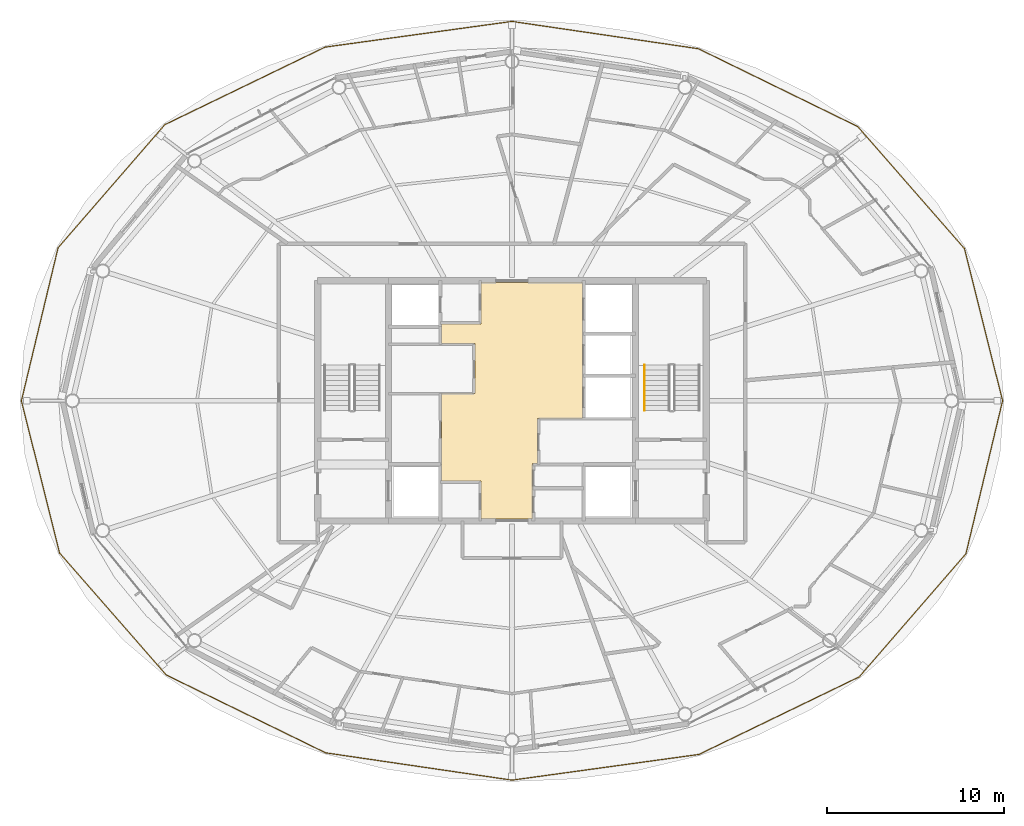
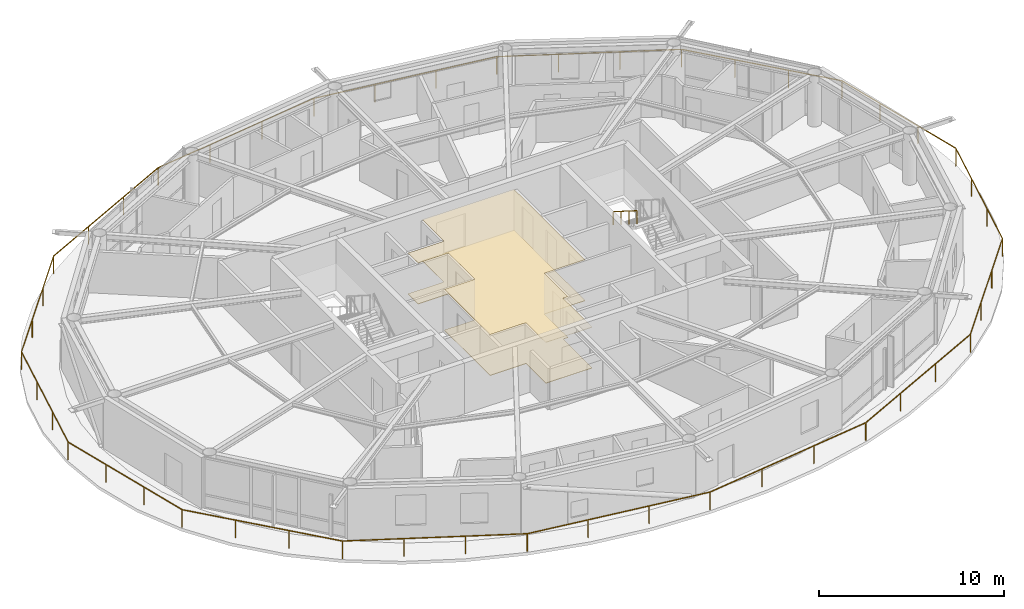
# One storey, part 22 of 23: 2 coverings, 2 railings.
"""IFC4 building model written with IfcOpenShell, lengths in metres."""

from ifc_helpers import new_model, si_unit, direction, frame, origin, origin_2d, place, context, subcontext, project, spatial, polyline, rectangle, outline, extrude, material, layer, layer_set, type_object, element, save


model = new_model("IFC4")

# Units and contexts
model_context = context("Model", 3, precision=1e-05, world=origin(), true_north=direction((0.0, 1.0)))
body_context = subcontext(model_context, "Body", "Model", "MODEL_VIEW")
ifc_project = project(units=[si_unit("LENGTHUNIT", "METRE"), si_unit("AREAUNIT", "SQUARE_METRE"), si_unit("VOLUMEUNIT", "CUBIC_METRE"), si_unit("PLANEANGLEUNIT", "RADIAN"), si_unit("MASSUNIT", "GRAM", prefix="KILO")], contexts=[model_context])

# Site, building, storey
site_placement = place(None, origin())
site = spatial("IfcSite", under=ifc_project, at=site_placement, CompositionType="ELEMENT")
building_placement = place(site_placement, origin())
building = spatial("IfcBuilding", under=site, at=building_placement, Name="Sarneth Arch Tower", CompositionType="ELEMENT")
storey_placement = place(building_placement, frame((0.0, 0.0, 276.60009765625)))
storey = spatial("IfcBuildingStorey", under=building, at=storey_placement, Name="L71", CompositionType="ELEMENT", Elevation=276.60009765625)

# Coverings
ifc_material_1 = material(Name="Perforated acoustic gypsum ceiling board")
ifc_layer_1 = layer(ifc_material_1, 0.02490234375)
ifc_layer_set_1 = layer_set([ifc_layer_1], Name="Perforated acoustic gypsum ceiling board")
covering_type_1 = type_object("IfcCoveringType", Name="COV-CEIL-GYP", PredefinedType="CEILING", material=ifc_layer_set_1)
covering_1_placement = place(storey_placement, frame((0.0, 0.0, 2.699951171875)))
element("IfcCovering", 1, at=covering_1_placement, inside=storey, type_object=covering_type_1, Name="L71 Lift lobby acoustic ceiling", PredefinedType="CEILING", context=body_context, shape_type="SweptSolid", body=[
    extrude(outline(polyline([(49.449951171875, 41.0), (49.449951171875, 38.449951171875), (49.14990234375, 38.449951171875), (49.14990234375, 35.300048828125), (46.25, 35.300048828125), (46.25, 37.449951171875), (44.0, 37.449951171875), (44.0, 42.39990234375), (45.89990234375, 42.39990234375), (45.89990234375, 45.25), (44.0, 45.25), (44.0, 46.35009765625), (46.25, 46.35009765625), (46.25, 48.699951171875), (52.0, 48.699951171875), (52.0, 41.0), (49.449951171875, 41.0)])), origin(), (0.0, 0.0, 1.0), 0.030029296875),
])
ifc_material_2 = material(Name="Honed granite stone flooring", Category="masonry")
ifc_layer_2 = layer(ifc_material_2, 0.030029296875)
ifc_layer_set_2 = layer_set([ifc_layer_2], Name="Honed granite stone flooring")
covering_type_2 = type_object("IfcCoveringType", Name="COV-FLR-STONE", PredefinedType="FLOORING", material=ifc_layer_set_2)
covering_2_placement = place(storey_placement, origin())
element("IfcCovering", 2, at=covering_2_placement, inside=storey, type_object=covering_type_2, Name="L71 Lift lobby granite flooring", PredefinedType="FLOORING", context=body_context, shape_type="SweptSolid", body=[
    extrude(outline(polyline([(49.449951171875, 41.0), (49.449951171875, 38.449951171875), (49.14990234375, 38.449951171875), (49.14990234375, 35.300048828125), (46.25, 35.300048828125), (46.25, 37.449951171875), (44.0, 37.449951171875), (44.0, 42.39990234375), (45.89990234375, 42.39990234375), (45.89990234375, 45.25), (44.0, 45.25), (44.0, 46.35009765625), (46.25, 46.35009765625), (46.25, 48.699951171875), (52.0, 48.699951171875), (52.0, 41.0), (49.449951171875, 41.0)])), origin(), (0.0, 0.0, 1.0), 0.02978515625),
])

# Railings
ifc_material_3 = material(Name="Laminated structural glass infill with Stainless Steel 316 top rail and posts", Category="steel")
railing_type_1 = type_object("IfcRailingType", Name="RAIL-BALC-1200", PredefinedType="BALUSTRADE", material=ifc_material_3)
railing_1_placement = place(storey_placement, frame((75.773681640625, 42.0, 0.0)))
element("IfcRailing", 3, at=railing_1_placement, inside=storey, type_object=railing_type_1, Name="L71 Helical balcony glass balustrade", PredefinedType="BALUSTRADE", context=body_context, shape_type="SweptSolid", body=[
    extrude(rectangle(XDim=0.048095703125, YDim=0.048095703125, at=origin_2d()), frame((0.0, 0.0, 1.17578125), z_axis=(-0.243091848319, 0.970003274882, 0.0), x_axis=(-0.970003274882, -0.243091848319, 0.0)), (0.0, 0.0, 1.0), 8.881103515625),
    extrude(rectangle(XDim=0.048095703125, YDim=0.048095703125, at=origin_2d()), frame((-2.158935546875, 8.61474609375, 1.17578125), z_axis=(-0.658199387128, 0.752843653612, 0.0), x_axis=(-0.752843653612, -0.658199387128, 0.0)), (0.0, 0.0, 1.0), 9.175537109375),
    extrude(rectangle(XDim=0.048095703125, YDim=0.048095703125, at=origin_2d()), frame((-8.1982421875, 15.5224609375, 1.17578125), z_axis=(-0.898526713463, 0.43891883668, 0.0), x_axis=(-0.43891883668, -0.898526713463, 0.0)), (0.0, 0.0, 1.0), 10.042236328125),
    extrude(rectangle(XDim=0.048095703125, YDim=0.048095703125, at=origin_2d()), frame((-17.221435546875, 19.93017578125, 1.17578125), z_axis=(-0.989425516886, 0.145041878557, 0.0), x_axis=(-0.145041878557, -0.989425516886, 0.0)), (0.0, 0.0, 1.0), 10.6650390625),
    extrude(rectangle(XDim=0.048095703125, YDim=0.048095703125, at=origin_2d()), frame((-27.773681640625, 21.47705078125, 1.17578125), z_axis=(-0.990670355081, -0.136280033618, 0.0), x_axis=(0.136280033618, -0.990670355081, 0.0)), (0.0, 0.0, 1.0), 10.6806640625),
    extrude(rectangle(XDim=0.048095703125, YDim=0.048095703125, at=origin_2d()), frame((-38.354736328125, 20.021484375, 1.17578125), z_axis=(-0.900182220057, -0.435513456387, 0.0), x_axis=(0.435513456387, -0.900182220057, 0.0)), (0.0, 0.0, 1.0), 10.08203125),
    extrude(rectangle(XDim=0.048095703125, YDim=0.048095703125, at=origin_2d()), frame((-47.430419921875, 15.630615234375, 1.17578125), z_axis=(-0.655023245194, -0.755608726958, 0.0), x_axis=(0.755608726958, -0.655023245194, 0.0)), (0.0, 0.0, 1.0), 9.223388671875),
    extrude(rectangle(XDim=0.048095703125, YDim=0.048095703125, at=origin_2d()), frame((-53.471923828125, 8.661376953125, 1.17578125), z_axis=(-0.233023557234, -0.972471090457, 0.0), x_axis=(0.972471090457, -0.233023557234, 0.0)), (0.0, 0.0, 1.0), 8.906494140625),
    extrude(rectangle(XDim=0.048095703125, YDim=0.048095703125, at=origin_2d()), frame((-55.54736328125, 0.0, 1.17578125), z_axis=(0.243091848319, -0.970003274882, 0.0), x_axis=(0.970003274882, 0.243091848319, 0.0)), (0.0, 0.0, 1.0), 8.881103515625),
    extrude(rectangle(XDim=0.048095703125, YDim=0.048095703125, at=origin_2d()), frame((-53.388427734375, -8.61474609375, 1.17578125), z_axis=(0.658199387128, -0.752843653612, 0.0), x_axis=(0.752843653612, 0.658199387128, 0.0)), (0.0, 0.0, 1.0), 9.175537109375),
    extrude(rectangle(XDim=0.048095703125, YDim=0.048095703125, at=origin_2d()), frame((-47.34912109375, -15.5224609375, 1.17578125), z_axis=(0.898526713463, -0.43891883668, 0.0), x_axis=(0.43891883668, 0.898526713463, 0.0)), (0.0, 0.0, 1.0), 10.042236328125),
    extrude(rectangle(XDim=0.048095703125, YDim=0.048095703125, at=origin_2d()), frame((-38.325927734375, -19.93017578125, 1.17578125), z_axis=(0.989425516886, -0.145041878557, 0.0), x_axis=(0.145041878557, 0.989425516886, 0.0)), (0.0, 0.0, 1.0), 10.6650390625),
    extrude(rectangle(XDim=0.048095703125, YDim=0.048095703125, at=origin_2d()), frame((-27.773681640625, -21.47705078125, 1.17578125), z_axis=(0.990670355081, 0.136280033618, 0.0), x_axis=(-0.136280033618, 0.990670355081, 0.0)), (0.0, 0.0, 1.0), 10.6806640625),
    extrude(rectangle(XDim=0.048095703125, YDim=0.048095703125, at=origin_2d()), frame((-17.192626953125, -20.021484375, 1.17578125), z_axis=(0.900182220057, 0.435513456387, 0.0), x_axis=(-0.435513456387, 0.900182220057, 0.0)), (0.0, 0.0, 1.0), 10.08203125),
    extrude(rectangle(XDim=0.048095703125, YDim=0.048095703125, at=origin_2d()), frame((-8.116943359375, -15.630615234375, 1.17578125), z_axis=(0.655023245194, 0.755608726958, 0.0), x_axis=(-0.755608726958, 0.655023245194, 0.0)), (0.0, 0.0, 1.0), 9.223388671875),
    extrude(rectangle(XDim=0.048095703125, YDim=0.048095703125, at=origin_2d()), frame((-2.075439453125, -8.661376953125, 1.17578125), z_axis=(0.233023557234, 0.972471090457, 0.0), x_axis=(-0.972471090457, 0.233023557234, 0.0)), (0.0, 0.0, 1.0), 8.906494140625),
    extrude(rectangle(XDim=0.0419921875, YDim=0.0419921875, at=origin_2d()), origin(), (0.0, 0.0, 1.0), 1.15185546875),
    extrude(rectangle(XDim=0.0419921875, YDim=0.0419921875, at=origin_2d()), frame((-0.7197265625, 2.87158203125, 0.0)), (0.0, 0.0, 1.0), 1.15185546875),
    extrude(rectangle(XDim=0.0419921875, YDim=0.0419921875, at=origin_2d()), frame((-1.439208984375, 5.7431640625, 0.0)), (0.0, 0.0, 1.0), 1.15185546875),
    extrude(rectangle(XDim=0.0419921875, YDim=0.0419921875, at=origin_2d()), frame((-2.158935546875, 8.61474609375, 0.0)), (0.0, 0.0, 1.0), 1.15185546875),
    extrude(rectangle(XDim=0.0419921875, YDim=0.0419921875, at=origin_2d()), frame((-4.172119140625, 10.917236328125, 0.0)), (0.0, 0.0, 1.0), 1.15185546875),
    extrude(rectangle(XDim=0.0419921875, YDim=0.0419921875, at=origin_2d()), frame((-6.18505859375, 13.219970703125, 0.0)), (0.0, 0.0, 1.0), 1.15185546875),
    extrude(rectangle(XDim=0.0419921875, YDim=0.0419921875, at=origin_2d()), frame((-8.1982421875, 15.5224609375, 0.0)), (0.0, 0.0, 1.0), 1.15185546875),
    extrude(rectangle(XDim=0.0419921875, YDim=0.0419921875, at=origin_2d()), frame((-11.2060546875, 16.99169921875, 0.0)), (0.0, 0.0, 1.0), 1.15185546875),
    extrude(rectangle(XDim=0.0419921875, YDim=0.0419921875, at=origin_2d()), frame((-14.213623046875, 18.4609375, 0.0)), (0.0, 0.0, 1.0), 1.15185546875),
    extrude(rectangle(XDim=0.0419921875, YDim=0.0419921875, at=origin_2d()), frame((-17.221435546875, 19.93017578125, 0.0)), (0.0, 0.0, 1.0), 1.15185546875),
    extrude(rectangle(XDim=0.0419921875, YDim=0.0419921875, at=origin_2d()), frame((-20.73876953125, 20.44580078125, 0.0)), (0.0, 0.0, 1.0), 1.15185546875),
    extrude(rectangle(XDim=0.0419921875, YDim=0.0419921875, at=origin_2d()), frame((-24.25634765625, 20.96142578125, 0.0)), (0.0, 0.0, 1.0), 1.15185546875),
    extrude(rectangle(XDim=0.0419921875, YDim=0.0419921875, at=origin_2d()), frame((-27.773681640625, 21.47705078125, 0.0)), (0.0, 0.0, 1.0), 1.15185546875),
    extrude(rectangle(XDim=0.0419921875, YDim=0.0419921875, at=origin_2d()), frame((-31.30078125, 20.991943359375, 0.0)), (0.0, 0.0, 1.0), 1.15185546875),
    extrude(rectangle(XDim=0.0419921875, YDim=0.0419921875, at=origin_2d()), frame((-34.82763671875, 20.506591796875, 0.0)), (0.0, 0.0, 1.0), 1.15185546875),
    extrude(rectangle(XDim=0.0419921875, YDim=0.0419921875, at=origin_2d()), frame((-38.354736328125, 20.021484375, 0.0)), (0.0, 0.0, 1.0), 1.15185546875),
    extrude(rectangle(XDim=0.0419921875, YDim=0.0419921875, at=origin_2d()), frame((-41.3798828125, 18.557861328125, 0.0)), (0.0, 0.0, 1.0), 1.15185546875),
    extrude(rectangle(XDim=0.0419921875, YDim=0.0419921875, at=origin_2d()), frame((-44.4052734375, 17.09423828125, 0.0)), (0.0, 0.0, 1.0), 1.15185546875),
    extrude(rectangle(XDim=0.0419921875, YDim=0.0419921875, at=origin_2d()), frame((-47.430419921875, 15.630615234375, 0.0)), (0.0, 0.0, 1.0), 1.15185546875),
    extrude(rectangle(XDim=0.0419921875, YDim=0.0419921875, at=origin_2d()), frame((-49.4443359375, 13.3076171875, 0.0)), (0.0, 0.0, 1.0), 1.15185546875),
    extrude(rectangle(XDim=0.0419921875, YDim=0.0419921875, at=origin_2d()), frame((-51.4580078125, 10.984375, 0.0)), (0.0, 0.0, 1.0), 1.15185546875),
    extrude(rectangle(XDim=0.0419921875, YDim=0.0419921875, at=origin_2d()), frame((-53.471923828125, 8.661376953125, 0.0)), (0.0, 0.0, 1.0), 1.15185546875),
    extrude(rectangle(XDim=0.0419921875, YDim=0.0419921875, at=origin_2d()), frame((-54.163818359375, 5.774169921875, 0.0)), (0.0, 0.0, 1.0), 1.15185546875),
    extrude(rectangle(XDim=0.0419921875, YDim=0.0419921875, at=origin_2d()), frame((-54.85546875, 2.88720703125, 0.0)), (0.0, 0.0, 1.0), 1.15185546875),
    extrude(rectangle(XDim=0.0419921875, YDim=0.0419921875, at=origin_2d()), frame((-55.54736328125, 0.0, 0.0)), (0.0, 0.0, 1.0), 1.15185546875),
    extrude(rectangle(XDim=0.0419921875, YDim=0.0419921875, at=origin_2d()), frame((-54.82763671875, -2.87158203125, 0.0)), (0.0, 0.0, 1.0), 1.15185546875),
    extrude(rectangle(XDim=0.0419921875, YDim=0.0419921875, at=origin_2d()), frame((-54.108154296875, -5.7431640625, 0.0)), (0.0, 0.0, 1.0), 1.15185546875),
    extrude(rectangle(XDim=0.0419921875, YDim=0.0419921875, at=origin_2d()), frame((-53.388427734375, -8.61474609375, 0.0)), (0.0, 0.0, 1.0), 1.15185546875),
    extrude(rectangle(XDim=0.0419921875, YDim=0.0419921875, at=origin_2d()), frame((-51.375244140625, -10.917236328125, 0.0)), (0.0, 0.0, 1.0), 1.15185546875),
    extrude(rectangle(XDim=0.0419921875, YDim=0.0419921875, at=origin_2d()), frame((-49.3623046875, -13.219970703125, 0.0)), (0.0, 0.0, 1.0), 1.15185546875),
    extrude(rectangle(XDim=0.0419921875, YDim=0.0419921875, at=origin_2d()), frame((-47.34912109375, -15.5224609375, 0.0)), (0.0, 0.0, 1.0), 1.15185546875),
    extrude(rectangle(XDim=0.0419921875, YDim=0.0419921875, at=origin_2d()), frame((-44.34130859375, -16.99169921875, 0.0)), (0.0, 0.0, 1.0), 1.15185546875),
    extrude(rectangle(XDim=0.0419921875, YDim=0.0419921875, at=origin_2d()), frame((-41.333740234375, -18.4609375, 0.0)), (0.0, 0.0, 1.0), 1.15185546875),
    extrude(rectangle(XDim=0.0419921875, YDim=0.0419921875, at=origin_2d()), frame((-38.325927734375, -19.93017578125, 0.0)), (0.0, 0.0, 1.0), 1.15185546875),
    extrude(rectangle(XDim=0.0419921875, YDim=0.0419921875, at=origin_2d()), frame((-34.80859375, -20.44580078125, 0.0)), (0.0, 0.0, 1.0), 1.15185546875),
    extrude(rectangle(XDim=0.0419921875, YDim=0.0419921875, at=origin_2d()), frame((-31.291015625, -20.96142578125, 0.0)), (0.0, 0.0, 1.0), 1.15185546875),
    extrude(rectangle(XDim=0.0419921875, YDim=0.0419921875, at=origin_2d()), frame((-27.773681640625, -21.47705078125, 0.0)), (0.0, 0.0, 1.0), 1.15185546875),
    extrude(rectangle(XDim=0.0419921875, YDim=0.0419921875, at=origin_2d()), frame((-24.24658203125, -20.991943359375, 0.0)), (0.0, 0.0, 1.0), 1.15185546875),
    extrude(rectangle(XDim=0.0419921875, YDim=0.0419921875, at=origin_2d()), frame((-20.7197265625, -20.506591796875, 0.0)), (0.0, 0.0, 1.0), 1.15185546875),
    extrude(rectangle(XDim=0.0419921875, YDim=0.0419921875, at=origin_2d()), frame((-17.192626953125, -20.021484375, 0.0)), (0.0, 0.0, 1.0), 1.15185546875),
    extrude(rectangle(XDim=0.0419921875, YDim=0.0419921875, at=origin_2d()), frame((-14.16748046875, -18.557861328125, 0.0)), (0.0, 0.0, 1.0), 1.15185546875),
    extrude(rectangle(XDim=0.0419921875, YDim=0.0419921875, at=origin_2d()), frame((-11.14208984375, -17.09423828125, 0.0)), (0.0, 0.0, 1.0), 1.15185546875),
    extrude(rectangle(XDim=0.0419921875, YDim=0.0419921875, at=origin_2d()), frame((-8.116943359375, -15.630615234375, 0.0)), (0.0, 0.0, 1.0), 1.15185546875),
    extrude(rectangle(XDim=0.0419921875, YDim=0.0419921875, at=origin_2d()), frame((-6.10302734375, -13.3076171875, 0.0)), (0.0, 0.0, 1.0), 1.15185546875),
    extrude(rectangle(XDim=0.0419921875, YDim=0.0419921875, at=origin_2d()), frame((-4.08935546875, -10.984375, 0.0)), (0.0, 0.0, 1.0), 1.15185546875),
    extrude(rectangle(XDim=0.0419921875, YDim=0.0419921875, at=origin_2d()), frame((-2.075439453125, -8.661376953125, 0.0)), (0.0, 0.0, 1.0), 1.15185546875),
    extrude(rectangle(XDim=0.0419921875, YDim=0.0419921875, at=origin_2d()), frame((-1.383544921875, -5.774169921875, 0.0)), (0.0, 0.0, 1.0), 1.15185546875),
    extrude(rectangle(XDim=0.0419921875, YDim=0.0419921875, at=origin_2d()), frame((-0.69189453125, -2.88720703125, 0.0)), (0.0, 0.0, 1.0), 1.15185546875),
])
ifc_material_4 = material(Name="Brushed Stainless Steel 304 tubular handrail", Category="steel")
railing_type_2 = type_object("IfcRailingType", Name="RAIL-HANDRAIL-900", PredefinedType="HANDRAIL", material=ifc_material_4)
railing_2_placement = place(storey_placement, frame((55.5, 44.014892578125, 1.97998046875)))
element("IfcRailing", 4, at=railing_2_placement, inside=storey, type_object=railing_type_2, Name="L71 ST-2 stair handrail 2", PredefinedType="HANDRAIL", context=body_context, shape_type="SweptSolid", body=[
    extrude(rectangle(XDim=0.048095703125, YDim=0.048095703125, at=origin_2d()), frame((0.0, 0.0, 0.8759765625), z_axis=(0.0, -0.845502289212, 0.533971796014), x_axis=(1.0, 0.0, 0.0)), (0.0, 0.0, 1.0), 3.03369140625),
    extrude(rectangle(XDim=0.0419921875, YDim=0.0419921875, at=origin_2d()), origin(), (0.0, 0.0, 1.0), 0.851806640625),
    extrude(rectangle(XDim=0.0419921875, YDim=0.0419921875, at=origin_2d()), frame((0.0, -0.85498046875, 0.5400390625)), (0.0, 0.0, 1.0), 0.851806640625),
    extrude(rectangle(XDim=0.0419921875, YDim=0.0419921875, at=origin_2d()), frame((0.0, -1.7099609375, 1.079833984375)), (0.0, 0.0, 1.0), 0.851806640625),
    extrude(rectangle(XDim=0.0419921875, YDim=0.0419921875, at=origin_2d()), frame((0.0, -2.56494140625, 1.619873046875)), (0.0, 0.0, 1.0), 0.851806640625),
])

save(model, "model.ifc")
